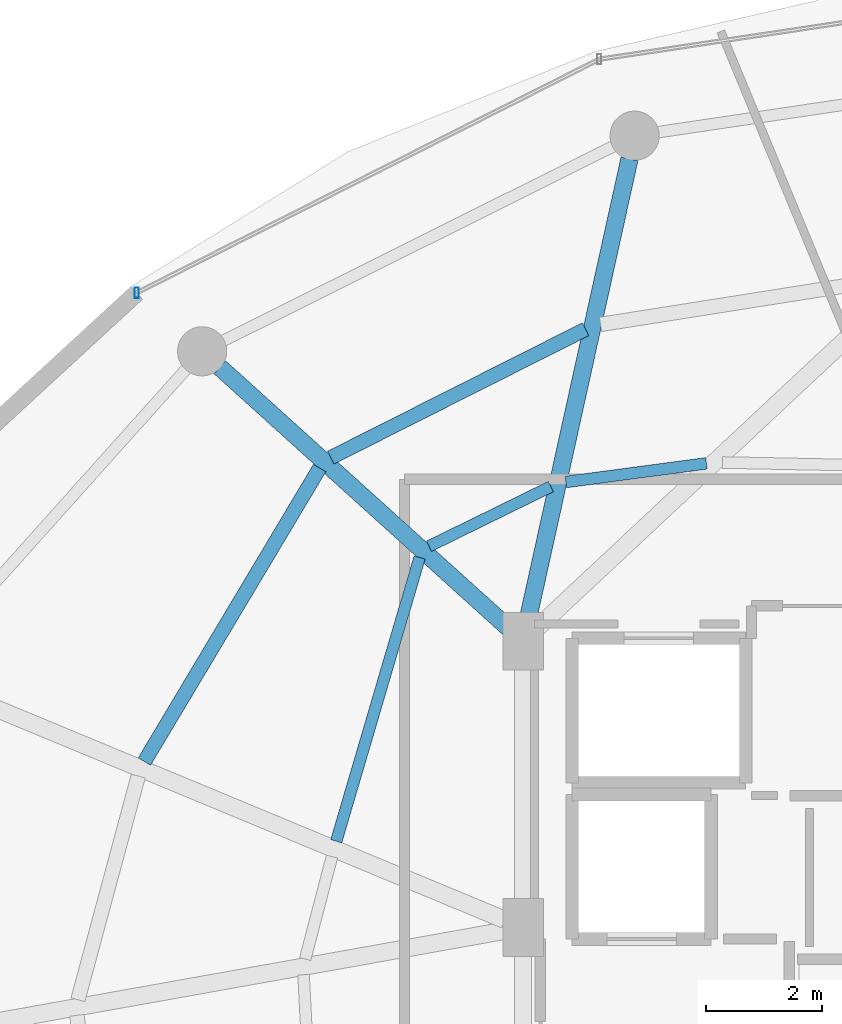
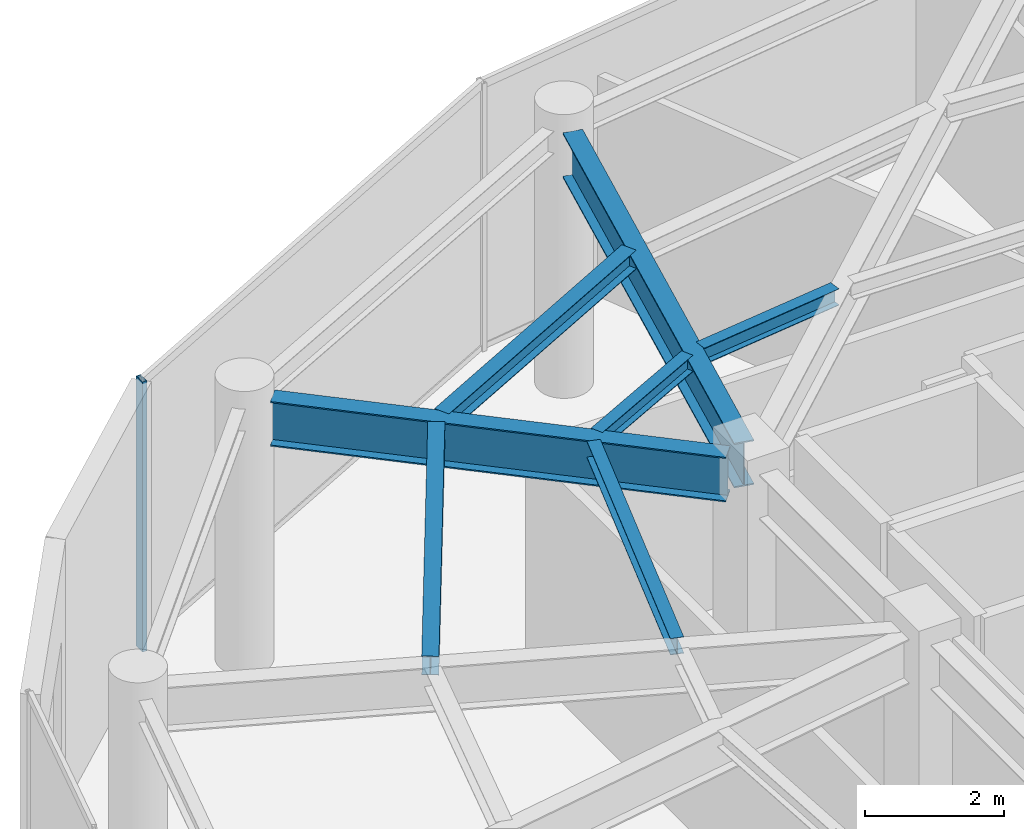
# One storey, part 9 of 24: 7 beams, 1 member, 1 element without a shape of its own.
"""IFC4 building model written with IfcOpenShell, lengths in metres."""

from ifc_helpers import new_model, si_unit, direction, frame, origin, origin_2d, place, context, subcontext, project, spatial, hollow_rectangle, i_section, extrude, material, material_profile, profile_set, type_object, element, aggregate, save


model = new_model("IFC4")

# Units and contexts
model_context = context("Model", 3, precision=1e-05, world=origin(), true_north=direction((0.0, 1.0)))
body_context = subcontext(model_context, "Body", "Model", "MODEL_VIEW")
ifc_project = project(units=[si_unit("LENGTHUNIT", "METRE"), si_unit("AREAUNIT", "SQUARE_METRE"), si_unit("VOLUMEUNIT", "CUBIC_METRE"), si_unit("PLANEANGLEUNIT", "RADIAN"), si_unit("MASSUNIT", "GRAM", prefix="KILO")], contexts=[model_context])

# Site, building, storey
site_placement = place(None, origin())
site = spatial("IfcSite", under=ifc_project, at=site_placement, CompositionType="ELEMENT")
building_placement = place(site_placement, origin())
building = spatial("IfcBuilding", under=site, at=building_placement, Name="Vorneva Point Tower", CompositionType="ELEMENT")
storey_placement = place(building_placement, frame((0.0, 0.0, 285.39990234375)))
storey = spatial("IfcBuildingStorey", under=building, at=storey_placement, Name="L77", CompositionType="ELEMENT", Elevation=285.39990234375)

# Beams
ifc_material_1 = material(Name="Steel S355", Category="steel")
ifc_material_profile_1 = material_profile(ifc_material_1, i_section(OverallWidth=0.300048828125, OverallDepth=0.7880859375, WebThickness=0.014404296875, FlangeThickness=0.02197265625, at=origin_2d()), Name="80Sh1")
ifc_profile_set_1 = profile_set([ifc_material_profile_1], Name="Steel S355")
beam_type_1 = type_object("IfcBeamType", Name="BM-GRD-80Sh1", PredefinedType="USERDEFINED", material=ifc_profile_set_1)
beam_1_placement = place(storey_placement, frame((29.090087890625, 41.4873046875, 4.296142578125), z_axis=(-0.215520742957, -0.976499262342, 0.0), x_axis=(0.976499262342, -0.215520742957, 0.0)))
element("IfcBeam", 1, at=beam_1_placement, inside=storey, type_object=beam_type_1, Name="L77 Radial Primary Girder 06", ObjectType="GIRDER", PredefinedType="USERDEFINED", context=body_context, shape_type="SweptSolid", body=[
    extrude(i_section(OverallWidth=0.300048828125, OverallDepth=0.7880859375, WebThickness=0.014404296875, FlangeThickness=0.02197265625, at=origin_2d()), origin(), (0.0, 0.0, 1.0), 8.197998046875),
])
beam_2_placement = place(storey_placement, frame((22.0078125, 37.885498046875, 4.296142578125), z_axis=(0.7420671051, -0.670325601128, 0.0), x_axis=(0.670325601128, 0.7420671051, 0.0)))
element("IfcBeam", 2, at=beam_2_placement, inside=storey, type_object=beam_type_1, Name="L77 Radial Primary Girder 07", ObjectType="GIRDER", PredefinedType="USERDEFINED", context=body_context, shape_type="SweptSolid", body=[
    extrude(i_section(OverallWidth=0.300048828125, OverallDepth=0.7880859375, WebThickness=0.014404296875, FlangeThickness=0.02197265625, at=origin_2d()), origin(), (0.0, 0.0, 1.0), 6.724365234375),
])
ifc_material_profile_2 = material_profile(ifc_material_1, i_section(OverallWidth=0.199951171875, OverallDepth=0.291015625, WebThickness=0.008056640625, FlangeThickness=0.010986328125, at=origin_2d()), Name="30Sh1")
ifc_profile_set_2 = profile_set([ifc_material_profile_2], Name="Steel S355")
beam_type_2 = type_object("IfcBeamType", Name="BM-SEC-30Sh1", PredefinedType="BEAM", material=ifc_profile_set_2)
beam_3_placement = place(storey_placement, frame((30.421630859375, 36.224853515625, 4.544677734375), z_axis=(-0.991292972716, -0.131674759328, 0.0), x_axis=(0.131674759328, -0.991292972716, 0.0)))
element("IfcBeam", 3, at=beam_3_placement, inside=storey, type_object=beam_type_2, Name="L77 Secondary Floor Beam 2.05", PredefinedType="BEAM", context=body_context, shape_type="SweptSolid", body=[
    extrude(i_section(OverallWidth=0.199951171875, OverallDepth=0.291015625, WebThickness=0.008056640625, FlangeThickness=0.010986328125, at=origin_2d()), origin(), (0.0, 0.0, 1.0), 2.452880859375),
])
beam_4_placement = place(storey_placement, frame((27.7294921875, 35.822998046875, 4.544677734375), z_axis=(-0.897898931546, -0.440201668249, 0.0), x_axis=(0.440201668249, -0.897898931546, 0.0)))
element("IfcBeam", 4, at=beam_4_placement, inside=storey, type_object=beam_type_2, Name="L77 Secondary Floor Beam 2.06", PredefinedType="BEAM", context=body_context, shape_type="SweptSolid", body=[
    extrude(i_section(OverallWidth=0.199951171875, OverallDepth=0.291015625, WebThickness=0.008056640625, FlangeThickness=0.010986328125, at=origin_2d()), origin(), (0.0, 0.0, 1.0), 2.34423828125),
])
beam_5_placement = place(storey_placement, frame((25.4619140625, 34.59765625, 4.544677734375), z_axis=(-0.281938877831, -0.959432368209, 0.0), x_axis=(0.959432368209, -0.281938877831, 0.0)))
element("IfcBeam", 5, at=beam_5_placement, inside=storey, type_object=beam_type_2, Name="L77 Secondary Floor Beam 2.07", PredefinedType="BEAM", context=body_context, shape_type="SweptSolid", body=[
    extrude(i_section(OverallWidth=0.199951171875, OverallDepth=0.291015625, WebThickness=0.008056640625, FlangeThickness=0.010986328125, at=origin_2d()), origin(), (0.0, 0.0, 1.0), 5.1142578125),
])
ifc_material_profile_3 = material_profile(ifc_material_1, i_section(OverallWidth=0.2490234375, OverallDepth=0.333984375, WebThickness=0.008056640625, FlangeThickness=0.010986328125, at=origin_2d()), Name="35Sh1")
ifc_profile_set_3 = profile_set([ifc_material_profile_3], Name="Steel S355")
beam_type_3 = type_object("IfcBeamType", Name="BM-SEC-35Sh1", PredefinedType="BEAM", material=ifc_profile_set_3)
beam_6_placement = place(storey_placement, frame((28.330810546875, 38.54345703125, 4.523193359375), z_axis=(-0.893046523207, -0.449964340129, 0.0), x_axis=(0.449964340129, -0.893046523207, 0.0)))
element("IfcBeam", 6, at=beam_6_placement, inside=storey, type_object=beam_type_3, Name="L77 Secondary Floor Beam 1.06", PredefinedType="BEAM", context=body_context, shape_type="SweptSolid", body=[
    extrude(i_section(OverallWidth=0.2490234375, OverallDepth=0.333984375, WebThickness=0.008056640625, FlangeThickness=0.010986328125, at=origin_2d()), origin(), (0.0, 0.0, 1.0), 4.930908203125),
])
beam_7_placement = place(storey_placement, frame((23.7333984375, 36.144287109375, 4.523193359375), z_axis=(-0.512672626115, -0.858584170849, 0.0), x_axis=(0.858584170849, -0.512672626115, 0.0)))
element("IfcBeam", 7, at=beam_7_placement, inside=storey, type_object=beam_type_3, Name="L77 Secondary Floor Beam 1.07", PredefinedType="BEAM", context=body_context, shape_type="SweptSolid", body=[
    extrude(i_section(OverallWidth=0.2490234375, OverallDepth=0.333984375, WebThickness=0.008056640625, FlangeThickness=0.010986328125, at=origin_2d()), origin(), (0.0, 0.0, 1.0), 5.91162109375),
])

# Curtain wall, member
ifc_material_2 = material(Name="Pale anodised aluminium", Category="aluminium")
curtain_wall_type = type_object("IfcCurtainWallType", Name="CW-OBS-SYS", PredefinedType="NOTDEFINED", material=ifc_material_2)
curtain_wall_placement = place(storey_placement, origin())
curtain_wall = element("IfcCurtainWall", 8, at=curtain_wall_placement, inside=storey, type_object=curtain_wall_type, Name="L77 Unitised Curtain Wall CW-L77-R02", PredefinedType="NOTDEFINED")
ifc_material_profile_4 = material_profile(ifc_material_2, hollow_rectangle(XDim=0.074951171875, YDim=0.179931640625, WallThickness=0.00390625, at=origin_2d()), Name="AL-MUL 180x75x4")
ifc_profile_set_4 = profile_set([ifc_material_profile_4], Name="Pale anodised aluminium")
member_type = type_object("IfcMemberType", Name="CW-MUL-180", PredefinedType="MULLION", material=ifc_profile_set_4)
member_placement = place(storey_placement, frame((20.56982421875, 39.17333984375, -0.039794921875), z_axis=(0.0, 0.0, 1.0), x_axis=(1.0, 0.0, 0.0)))
member = element("IfcMember", 9, at=member_placement, type_object=member_type, Name="CW-L77-R02 Mullion 04", PredefinedType="MULLION", context=body_context, shape_type="SweptSolid", body=[
    extrude(hollow_rectangle(XDim=0.074951171875, YDim=0.179931640625, WallThickness=0.00390625, at=origin_2d()), origin(), (0.0, 0.0, 1.0), 4.760009765625),
])
aggregate(curtain_wall, [member])

save(model, "model.ifc")
